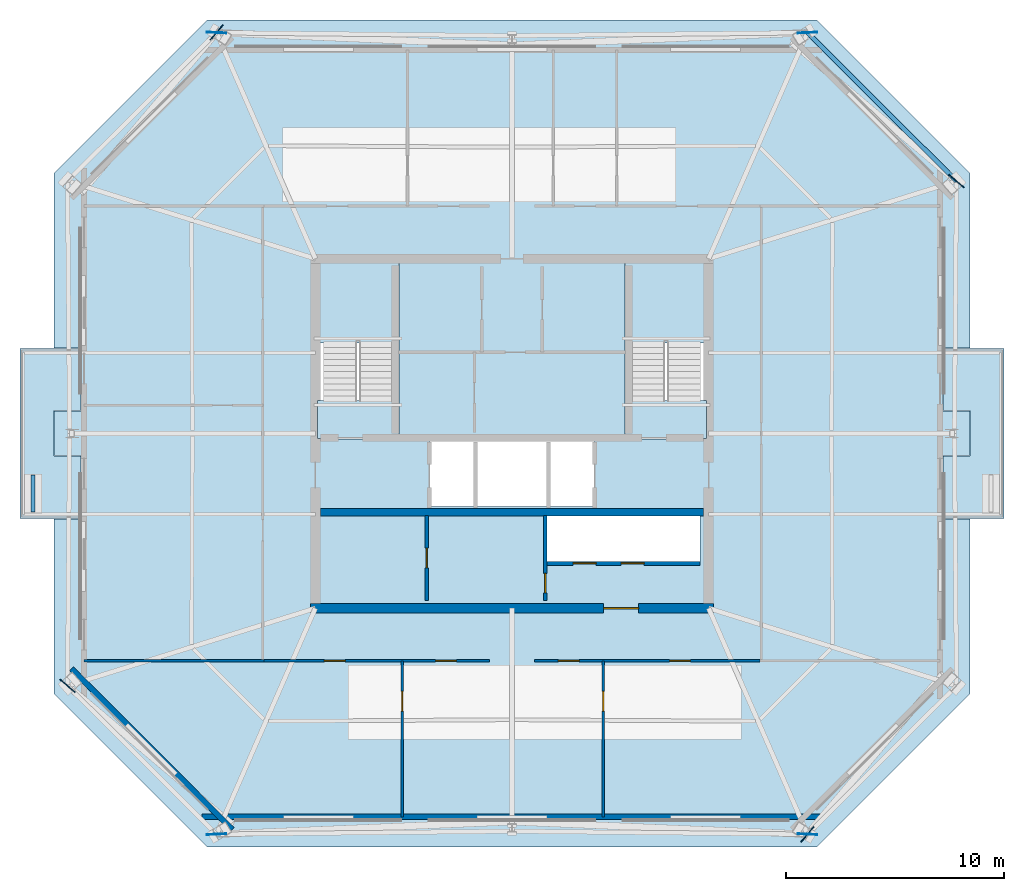
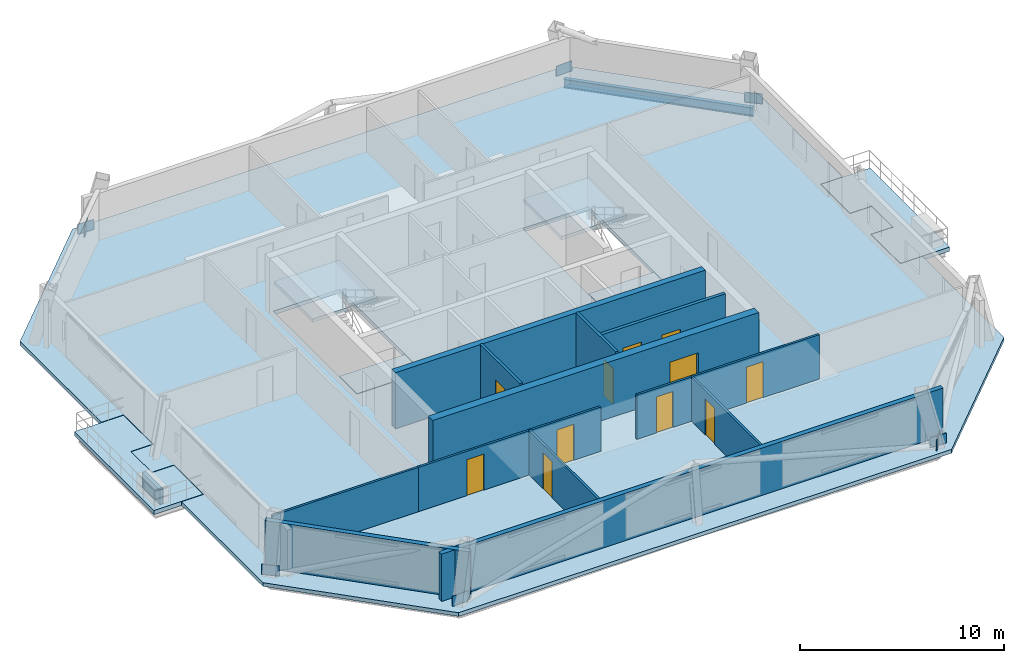
# One storey, part 2 of 7: 13 walls, 11 doors, 8 plates, 7 slabs, 1 beam, 11 openings, 2 elements without a shape of their own.
"""IFC4 building model written with IfcOpenShell, lengths in metres."""

from ifc_helpers import new_model, si_unit, direction, frame, frame_2d, origin, origin_2d, place, context, subcontext, project, spatial, polyline, rectangle, i_section, outline, extrude, material, layer, layer_set, material_profile, profile_set, type_object, element, fill, aggregate, save


model = new_model("IFC4")

# Units and contexts
model_context = context("Model", 3, precision=1e-05, world=origin(), true_north=direction((0.0, 1.0)))
body_context = subcontext(model_context, "Body", "Model", "MODEL_VIEW")
ifc_project = project(units=[si_unit("LENGTHUNIT", "METRE"), si_unit("AREAUNIT", "SQUARE_METRE"), si_unit("VOLUMEUNIT", "CUBIC_METRE"), si_unit("PLANEANGLEUNIT", "RADIAN"), si_unit("MASSUNIT", "GRAM", prefix="KILO")], contexts=[model_context])

# Site, building, storey
site_placement = place(None, origin())
site = spatial("IfcSite", under=ifc_project, at=site_placement, CompositionType="ELEMENT")
building_placement = place(site_placement, origin())
building = spatial("IfcBuilding", under=site, at=building_placement, Name="Caelvoria Tower", CompositionType="ELEMENT")
storey_placement = place(building_placement, frame((0.0, 0.0, 227.39990234375)))
storey = spatial("IfcBuildingStorey", under=building, at=storey_placement, Name="L60", CompositionType="ELEMENT", Elevation=227.39990234375)

# Beam
ifc_material_1 = material(Name="Structural Steel ASTM A992 Gr.50", Category="steel")
ifc_material_profile = material_profile(ifc_material_1, i_section(OverallWidth=0.208984375, OverallDepth=0.532958984375, WebThickness=0.01025390625, FlangeThickness=0.015625, FilletRadius=0.01611328125, at=origin_2d()), Name="Structural Steel ASTM A992 Gr.50")
ifc_profile_set = profile_set([ifc_material_profile], Name="W530X92 - Structural Steel ASTM A992 Gr.50")
beam_type = type_object("IfcBeamType", Name="Upper Zone Spandrel W530X92", PredefinedType="BEAM", material=ifc_profile_set)
beam_placement = place(storey_placement, frame((66.3466796875, 43.5537109375, -0.491455078125), z_axis=(-0.708424352288, 0.705786750432, 0.0), x_axis=(-0.705786750432, -0.708424352288, 0.0)))
element("IfcBeam", 1, at=beam_placement, inside=storey, type_object=beam_type, Name="Perimeter Spandrel Girder L60-05", PredefinedType="BEAM", context=body_context, shape_type="SweptSolid", body=[
    extrude(i_section(OverallWidth=0.208984375, OverallDepth=0.532958984375, WebThickness=0.01025390625, FlangeThickness=0.015625, FilletRadius=0.01611328125, at=origin_2d()), origin(), (0.0, 0.0, 1.0), 9.62646484375),
])

# Plates
ifc_material_2 = material(Name="Structural Steel ASTM A572 Gr.50", Category="steel")
ifc_layer_1 = layer(ifc_material_2, 0.0400390625, Name="Structural Steel ASTM A572 Gr.50")
ifc_layer_set_1 = layer_set([ifc_layer_1], Name="Megaframe Node Gusset Plate 900x600x40 - Structural Steel ASTM A572 Gr.50")
plate_type = type_object("IfcPlateType", Name="Megaframe Node Gusset Plate 900x600x40", PredefinedType="USERDEFINED", material=ifc_layer_set_1)
for number, where, z_axis, x_axis, name in (
    (2, (59.527099609375, 13.652099609375, 0.02001953125), (0.0, 0.0, 1.0), (0.6457349249, 0.763561658783, 0.0), "Chamfer Mega Brace Gusset L60 SE"),
    (3, (66.3466796875, 43.5537109375, 0.02001953125), (0.0, 0.0, 1.0), (-0.764533410577, 0.644584101659, 0.0), "Chamfer Mega Brace Gusset L60 NE"),
    (4, (32.472900390625, 50.347900390625, 0.02001953125), (0.0, 0.0, 1.0), (-0.6457349249, -0.763561658783, 0.0), "Chamfer Mega Brace Gusset L60 NW"),
    (5, (25.6533203125, 20.4462890625, 0.02001953125), (0.0, 0.0, 1.0), (0.764533410577, -0.644584101659, 0.0), "Chamfer Mega Brace Gusset L60 SW"),
    (6, (32.472900390625, 13.652099609375, 0.050048828125), (0.0, 0.0, 1.0), (0.999091865207, 0.042608037699, 0.0), "Megaframe Node Gusset Plate ND-01"),
    (7, (59.527099609375, 13.652099609375, 0.050048828125), (0.0, 0.0, 1.0), (-0.999091865207, 0.042608037699, 0.0), "Megaframe Node Gusset Plate ND-01"),
    (8, (59.527099609375, 50.347900390625, 0.050048828125), (0.0, 0.0, 1.0), (-0.999091865207, -0.042608037699, 0.0), "Megaframe Node Gusset Plate ND-01"),
    (9, (32.472900390625, 50.347900390625, 0.050048828125), (0.0, 0.0, 1.0), (0.999091865207, -0.042608037699, 0.0), "Megaframe Node Gusset Plate ND-01"),
):
    element("IfcPlate", number, at=place(storey_placement, frame(where, z_axis=z_axis, x_axis=x_axis)), inside=storey, type_object=plate_type, Name=name, ObjectType="GUSSET_PLATE", PredefinedType="USERDEFINED", context=body_context, shape_type="SweptSolid", body=[
        extrude(rectangle(XDim=0.89990234375, YDim=0.0400390625, at=origin_2d()), origin(), (0.0, 0.0, 1.0), 0.60009765625),
    ])

# Stair, slabs
ifc_material_3 = material(Name="Concrete C40/50", Category="concrete")
stair_type = type_object("IfcStairType", Name="Core Smokeproof Dogleg Stair Concrete C40/50", PredefinedType="HALF_TURN_STAIR", material=ifc_material_3)
stair_1_placement = place(storey_placement, origin())
stair_1 = element("IfcStair", 10, at=stair_1_placement, inside=storey, type_object=stair_type, Name="ST-01 Smokeproof Exit Stair L60", PredefinedType="HALF_TURN_STAIR")
ifc_layer_2 = layer(ifc_material_3, 0.199951171875, Name="Concrete C40/50")
ifc_layer_set_2 = layer_set([ifc_layer_2], Name="Stair Half and Floor Landing Slab 200 Concrete C40/50 - Concrete C40/50")
slab_type_1 = type_object("IfcSlabType", Name="Stair Half and Floor Landing Slab 200 Concrete C40/50", PredefinedType="LANDING", material=ifc_layer_set_2)
slab_1_placement = place(storey_placement, frame((0.0, 0.0, -0.199951171875)))
slab_1 = element("IfcSlab", 11, at=slab_1_placement, type_object=slab_type_1, Name="ST-01 landing 1", PredefinedType="LANDING", context=body_context, shape_type="SweptSolid", body=[
    extrude(outline(polyline([(37.10009765625, 31.77001953125), (40.800048828125, 31.77001953125), (40.800048828125, 33.5), (37.10009765625, 33.5), (37.10009765625, 31.77001953125)])), origin(), (0.0, 0.0, 1.0), 0.199951171875),
])
slab_2_placement = place(storey_placement, frame((0.0, 0.0, 1.60009765625)))
slab_2 = element("IfcSlab", 12, at=slab_2_placement, type_object=slab_type_1, Name="ST-01 landing 2", PredefinedType="LANDING", context=body_context, shape_type="SweptSolid", body=[
    extrude(outline(polyline([(37.10009765625, 36.14990234375), (40.800048828125, 36.14990234375), (40.800048828125, 39.89990234375), (37.10009765625, 39.89990234375), (37.10009765625, 36.14990234375)])), origin(), (0.0, 0.0, 1.0), 0.199951171875),
])
aggregate(stair_1, [slab_1, slab_2])

stair_2_placement = place(storey_placement, origin())
stair_2 = element("IfcStair", 13, at=stair_2_placement, inside=storey, type_object=stair_type, Name="ST-02 Smokeproof Exit Stair L60", PredefinedType="HALF_TURN_STAIR")
slab_3_placement = place(storey_placement, frame((0.0, 0.0, -0.199951171875)))
slab_3 = element("IfcSlab", 14, at=slab_3_placement, type_object=slab_type_1, Name="ST-02 landing 1", PredefinedType="LANDING", context=body_context, shape_type="SweptSolid", body=[
    extrude(outline(polyline([(51.199951171875, 31.77001953125), (54.89990234375, 31.77001953125), (54.89990234375, 33.5), (51.199951171875, 33.5), (51.199951171875, 31.77001953125)])), origin(), (0.0, 0.0, 1.0), 0.199951171875),
])
slab_4_placement = place(storey_placement, frame((0.0, 0.0, 1.60009765625)))
slab_4 = element("IfcSlab", 15, at=slab_4_placement, type_object=slab_type_1, Name="ST-02 landing 2", PredefinedType="LANDING", context=body_context, shape_type="SweptSolid", body=[
    extrude(outline(polyline([(51.199951171875, 36.14990234375), (54.89990234375, 36.14990234375), (54.89990234375, 39.89990234375), (51.199951171875, 39.89990234375), (51.199951171875, 36.14990234375)])), origin(), (0.0, 0.0, 1.0), 0.199951171875),
])
aggregate(stair_2, [slab_3, slab_4])

# Slabs
ifc_material_4 = material(Name="Concrete C45/55", Category="concrete")
ifc_layer_3 = layer(ifc_material_4, 0.25, Name="Concrete C45/55")
ifc_layer_set_3 = layer_set([ifc_layer_3], Name="Tree Balcony Structural Planter Slab 250 - Concrete C45/55")
slab_type_2 = type_object("IfcSlabType", Name="Tree Balcony Structural Planter Slab 250", PredefinedType="FLOOR", material=ifc_layer_set_3)
slab_5_placement = place(storey_placement, frame((0.0, 0.0, -0.25)))
element("IfcSlab", 16, at=slab_5_placement, inside=storey, type_object=slab_type_2, Name="Tree Balcony Slab TB-L60-W", PredefinedType="FLOOR", context=body_context, shape_type="SweptSolid", body=[
    extrude(outline(polyline([(23.477294921875, 28.10009765625), (25.02734375, 28.10009765625), (26.267333984375, 28.10009765625), (26.267333984375, 30.9599609375), (25.02734375, 30.9599609375), (25.02734375, 33.0400390625), (26.267333984375, 33.0400390625), (26.267333984375, 35.89990234375), (25.02734375, 35.89990234375), (23.477294921875, 35.89990234375), (23.477294921875, 28.10009765625)])), origin(), (0.0, 0.0, 1.0), 0.25),
])
slab_6_placement = place(storey_placement, frame((0.0, 0.0, -0.25)))
element("IfcSlab", 17, at=slab_6_placement, inside=storey, type_object=slab_type_2, Name="Tree Balcony Slab TB-L60-E", PredefinedType="FLOOR", context=body_context, shape_type="SweptSolid", body=[
    extrude(outline(polyline([(66.97265625, 35.89990234375), (65.732666015625, 35.89990234375), (65.732666015625, 33.0400390625), (66.97265625, 33.0400390625), (66.97265625, 30.9599609375), (65.732666015625, 30.9599609375), (65.732666015625, 28.10009765625), (66.97265625, 28.10009765625), (68.522705078125, 28.10009765625), (68.522705078125, 35.89990234375), (66.97265625, 35.89990234375)])), origin(), (0.0, 0.0, 1.0), 0.25),
])
ifc_layer_4 = layer(ifc_material_3, 0.22509765625, Name="Concrete C40/50")
ifc_layer_set_4 = layer_set([ifc_layer_4], Name="Upper Tower Composite Office Slab 225 - Concrete C40/50")
slab_type_3 = type_object("IfcSlabType", Name="Upper Tower Composite Office Slab 225", PredefinedType="FLOOR", material=ifc_layer_set_4)
slab_7_placement = place(storey_placement, frame((0.0, 0.0, -0.224853515625)))
element("IfcSlab", 18, at=slab_7_placement, inside=storey, type_object=slab_type_3, Name="Level L60 Structural Floor Slab", PredefinedType="FLOOR", context=body_context, shape_type="SweptSolid", body=[
    extrude(outline(polyline([(59.95458984375, 50.92724609375), (32.04541015625, 50.92724609375), (25.02734375, 43.9091796875), (25.02734375, 35.919921875), (26.287353515625, 35.919921875), (26.287353515625, 33.02001953125), (25.02734375, 33.02001953125), (25.02734375, 30.97998046875), (26.287353515625, 30.97998046875), (26.287353515625, 28.080078125), (25.02734375, 28.080078125), (25.02734375, 20.0908203125), (32.04541015625, 13.07275390625), (59.95458984375, 13.07275390625), (66.97265625, 20.0908203125), (66.97265625, 28.080078125), (65.712646484375, 28.080078125), (65.712646484375, 30.97998046875), (66.97265625, 30.97998046875), (66.97265625, 33.02001953125), (65.712646484375, 33.02001953125), (65.712646484375, 35.919921875), (66.97265625, 35.919921875), (66.97265625, 43.9091796875), (59.95458984375, 50.92724609375)]), holes=[polyline([(37.080078125, 31.75), (40.820068359375, 31.75), (40.820068359375, 39.919921875), (37.080078125, 39.919921875), (37.080078125, 31.75)]), polyline([(51.179931640625, 31.75), (54.919921875, 31.75), (54.919921875, 39.919921875), (51.179931640625, 39.919921875), (51.179931640625, 31.75)]), polyline([(42.25, 28.64990234375), (49.75, 28.64990234375), (49.75, 31.800048828125), (42.25, 31.800048828125), (42.25, 28.64990234375)]), polyline([(47.60009765625, 26.14990234375), (54.60009765625, 26.14990234375), (54.60009765625, 28.25), (47.60009765625, 28.25), (47.60009765625, 26.14990234375)])]), origin(), (0.0, 0.0, 1.0), 0.224853515625),
])

# Walls
ifc_material_5 = material(Name="Bronze-Clad Concrete C40/50", Category="concrete")
ifc_layer_5 = layer(ifc_material_5, 0.179931640625, Name="Bronze-Clad Concrete C40/50")
ifc_layer_set_5 = layer_set([ifc_layer_5], Name="Architectural Planter Kerb Wall 180 - Bronze-Clad Concrete C40/50")
wall_type_1 = type_object("IfcWallType", Name="Architectural Planter Kerb Wall 180", PredefinedType="PARAPET", material=ifc_layer_set_5)
wall_1_placement = place(storey_placement, frame((24.077392578125, 28.39990234375, 0.0), z_axis=(0.0, 0.0, 1.0), x_axis=(0.0, 1.0, 0.0)))
element("IfcWall", 19, at=wall_1_placement, inside=storey, type_object=wall_type_1, Name="Tree Balcony Planter Kerb PLANTER TB-L60-W", PredefinedType="PARAPET", context=body_context, shape_type="SweptSolid", body=[
    extrude(rectangle(XDim=1.7001953125, YDim=0.179931640625, at=frame_2d((0.85009765625, 0.0))), origin(), (0.0, 0.0, 1.0), 0.880126953125),
])
ifc_material_6 = material(Name="Concrete C50/60", Category="concrete")
ifc_layer_6 = layer(ifc_material_6, 0.35009765625, Name="Concrete C50/60")
ifc_layer_set_6 = layer_set([ifc_layer_6], Name="Core Internal Shear Wall 350 - Concrete C50/60")
wall_type_2 = type_object("IfcWallType", Name="Core Internal Shear Wall 350", PredefinedType="SHEAR", material=ifc_layer_set_6)
wall_2_placement = place(storey_placement, frame((37.22509765625, 28.39990234375, 0.0), z_axis=(0.0, 0.0, 1.0), x_axis=(1.0, 0.0, 0.0)))
element("IfcWall", 20, at=wall_2_placement, inside=storey, type_object=wall_type_2, Name="Core Shear Wall L60 M2", PredefinedType="SHEAR", context=body_context, shape_type="SweptSolid", body=[
    extrude(rectangle(XDim=17.5498046875, YDim=0.35009765625, at=frame_2d((8.77490234375, 0.0))), origin(), (0.0, 0.0, 1.0), 3.360107421875),
])

# Wall, opening, door
ifc_material_7 = material(Name="Double Gypsum Board on Steel Stud", Category="steel")
ifc_layer_7 = layer(ifc_material_7, 0.14990234375, Name="Double Gypsum Board on Steel Stud")
ifc_layer_set_7 = layer_set([ifc_layer_7], Name="Core Service Acoustic Partition Wall 150 - Double Gypsum Board on Steel Stud")
wall_type_3 = type_object("IfcWallType", Name="Core Service Acoustic Partition Wall 150", PredefinedType="PARTITIONING", material=ifc_layer_set_7)
wall_3_placement = place(storey_placement, frame((42.10009765625, 24.35009765625, 0.0), z_axis=(0.0, 0.0, 1.0), x_axis=(0.0, 1.0, 0.0)))
wall_3 = element("IfcWall", 21, at=wall_3_placement, inside=storey, type_object=wall_type_3, Name="Interior Partition IW-L60-RECL-MID", PredefinedType="PARTITIONING", context=body_context, shape_type="SweptSolid", body=[
    extrude(rectangle(XDim=3.89990234375, YDim=0.14990234375, at=frame_2d((1.949951171875, 0.0))), origin(), (0.0, 0.0, 1.0), 3.375),
])
opening_1_placement = place(wall_3_placement, frame((1.5, 0.0, 0.0)))
opening_1 = element("IfcOpeningElement", 22, at=opening_1_placement, cuts=wall_3, Name="Opening ID-06", PredefinedType="OPENING", context=body_context, shape_type="SweptSolid", body=[
    extrude(rectangle(XDim=0.89990234375, YDim=2.14990234375, at=frame_2d((0.449951171875, 1.074951171875))), frame((0.0, 0.0849609375, 0.0), z_axis=(0.0, -1.0, 0.0), x_axis=(1.0, 0.0, 0.0)), (0.0, 0.0, 1.0), 0.169921875),
])
ifc_material_8 = material(Name="Engineered Andean Oak Veneer Door", Category="wood")
door_type_1 = type_object("IfcDoorType", Name="Interior Timber Door 900x2150", OperationType="NOTDEFINED", PredefinedType="DOOR", material=ifc_material_8)
door_1_placement = place(opening_1_placement, origin())
door_1 = element("IfcDoor", 23, at=door_1_placement, inside=storey, type_object=door_type_1, Name="Interior Door DR-L60-RECL12", OperationType="SINGLE_SWING_LEFT", OverallHeight=2.14990234375, OverallWidth=0.89990234375, PredefinedType="DOOR", context=body_context, shape_type="SweptSolid", body=[
    extrude(rectangle(XDim=0.89990234375, YDim=2.14990234375, at=frame_2d((0.449951171875, 1.074951171875))), frame((0.0, 0.02490234375, 0.0), z_axis=(0.0, -1.0, 0.0), x_axis=(1.0, 0.0, 0.0)), (0.0, 0.0, 1.0), 0.050048828125),
])
fill(opening_1, door_1)

wall_4_placement = place(storey_placement, frame((47.52001953125, 24.35009765625, 0.0), z_axis=(0.0, 0.0, 1.0), x_axis=(0.0, 1.0, 0.0)))
wall_4 = element("IfcWall", 24, at=wall_4_placement, inside=storey, type_object=wall_type_3, Name="Interior Partition IW-L60-RECL2E", PredefinedType="PARTITIONING", context=body_context, shape_type="SweptSolid", body=[
    extrude(rectangle(XDim=3.89990234375, YDim=0.14990234375, at=frame_2d((1.949951171875, 0.0))), origin(), (0.0, 0.0, 1.0), 3.375),
])
opening_2_placement = place(wall_4_placement, frame((0.35009765625, 0.0, 0.0)))
opening_2 = element("IfcOpeningElement", 25, at=opening_2_placement, cuts=wall_4, Name="Opening ID-04", PredefinedType="OPENING", context=body_context, shape_type="SweptSolid", body=[
    extrude(rectangle(XDim=0.89990234375, YDim=2.14990234375, at=frame_2d((0.449951171875, 1.074951171875))), frame((0.0, 0.0849609375, 0.0), z_axis=(0.0, -1.0, 0.0), x_axis=(1.0, 0.0, 0.0)), (0.0, 0.0, 1.0), 0.169921875),
])
ifc_material_9 = material(Name="Acoustic Timber Fire Door", Category="wood")
door_type_2 = type_object("IfcDoorType", Name="Fire Door FD30S 900x2150", OperationType="NOTDEFINED", PredefinedType="DOOR", material=ifc_material_9)
door_2_placement = place(opening_2_placement, origin())
door_2 = element("IfcDoor", 26, at=door_2_placement, inside=storey, type_object=door_type_2, Name="Interior Door DR-L60-RECL2", OperationType="SINGLE_SWING_RIGHT", OverallHeight=2.14990234375, OverallWidth=0.89990234375, PredefinedType="DOOR", context=body_context, shape_type="SweptSolid", body=[
    extrude(rectangle(XDim=0.89990234375, YDim=2.14990234375, at=frame_2d((0.449951171875, 1.074951171875))), frame((0.0, 0.02490234375, 0.0), z_axis=(0.0, -1.0, 0.0), x_axis=(1.0, 0.0, 0.0)), (0.0, 0.0, 1.0), 0.050048828125),
])
fill(opening_2, door_2)

# Wall, openings, doors
ifc_material_10 = material(Name="Concrete Block and Fireboard Assembly", Category="concrete")
ifc_layer_8 = layer(ifc_material_10, 0.179931640625, Name="Concrete Block and Fireboard Assembly")
ifc_layer_set_8 = layer_set([ifc_layer_8], Name="Fire-Rated Hoistway Partition Wall 180 - Concrete Block and Fireboard Assembly")
wall_type_4 = type_object("IfcWallType", Name="Fire-Rated Hoistway Partition Wall 180", PredefinedType="PARTITIONING", material=ifc_layer_set_8)
wall_5_placement = place(storey_placement, frame((47.60009765625, 26.050048828125, 0.0), z_axis=(0.0, 0.0, 1.0), x_axis=(1.0, 0.0, 0.0)))
wall_5 = element("IfcWall", 27, at=wall_5_placement, inside=storey, type_object=wall_type_4, Name="Interior Partition IW-L60-LFRONT", PredefinedType="PARTITIONING", context=body_context, shape_type="SweptSolid", body=[
    extrude(rectangle(XDim=7.0, YDim=0.179931640625, at=frame_2d((3.5, 0.0))), origin(), (0.0, 0.0, 1.0), 3.375),
])
opening_3_placement = place(wall_5_placement, frame((1.199951171875, 0.0, 0.0)))
opening_3 = element("IfcOpeningElement", 28, at=opening_3_placement, cuts=wall_5, Name="Opening LD-01", PredefinedType="OPENING", context=body_context, shape_type="SweptSolid", body=[
    extrude(rectangle(XDim=1.050048828125, YDim=2.14990234375, at=frame_2d((0.52490234375, 1.074951171875))), frame((0.0, 0.099853515625, 0.0), z_axis=(0.0, -1.0, 0.0), x_axis=(1.0, 0.0, 0.0)), (0.0, 0.0, 1.0), 0.199951171875),
])
opening_4_placement = place(wall_5_placement, frame((3.39990234375, 0.0, 0.0)))
opening_4 = element("IfcOpeningElement", 29, at=opening_4_placement, cuts=wall_5, Name="Opening LD-01", PredefinedType="OPENING", context=body_context, shape_type="SweptSolid", body=[
    extrude(rectangle(XDim=1.050048828125, YDim=2.14990234375, at=frame_2d((0.52490234375, 1.074951171875))), frame((0.0, 0.099853515625, 0.0), z_axis=(0.0, -1.0, 0.0), x_axis=(1.0, 0.0, 0.0)), (0.0, 0.0, 1.0), 0.199951171875),
])
ifc_material_11 = material(Name="Brushed Bronze Stainless Sliding Landing Door", Category="aluminium")
door_type_3 = type_object("IfcDoorType", Name="Lift Landing Sliding Door 1100x2150", OperationType="NOTDEFINED", PredefinedType="DOOR", material=ifc_material_11)
door_3_placement = place(opening_3_placement, origin())
door_3 = element("IfcDoor", 30, at=door_3_placement, inside=storey, type_object=door_type_3, Name="Interior Door LD-L60-PH1", OperationType="SLIDING_TO_LEFT", OverallHeight=2.14990234375, OverallWidth=1.050048828125, PredefinedType="DOOR", context=body_context, shape_type="SweptSolid", body=[
    extrude(rectangle(XDim=1.050048828125, YDim=2.14990234375, at=frame_2d((0.52490234375, 1.074951171875))), frame((0.0, 0.02490234375, 0.0), z_axis=(0.0, -1.0, 0.0), x_axis=(1.0, 0.0, 0.0)), (0.0, 0.0, 1.0), 0.050048828125),
])
fill(opening_3, door_3)
door_4_placement = place(opening_4_placement, origin())
door_4 = element("IfcDoor", 31, at=door_4_placement, inside=storey, type_object=door_type_3, Name="Interior Door LD-L60-PH2", OperationType="SLIDING_TO_RIGHT", OverallHeight=2.14990234375, OverallWidth=1.050048828125, PredefinedType="DOOR", context=body_context, shape_type="SweptSolid", body=[
    extrude(rectangle(XDim=1.050048828125, YDim=2.14990234375, at=frame_2d((0.52490234375, 1.074951171875))), frame((0.0, 0.02490234375, 0.0), z_axis=(0.0, -1.0, 0.0), x_axis=(1.0, 0.0, 0.0)), (0.0, 0.0, 1.0), 0.050048828125),
])
fill(opening_4, door_4)

# Wall, opening, door
ifc_material_12 = material(Name="Acoustic Gypsum Board on Light-Gauge Stud", Category="gypsum")
ifc_layer_9 = layer(ifc_material_12, 0.1201171875, Name="Acoustic Gypsum Board on Light-Gauge Stud")
ifc_layer_set_9 = layer_set([ifc_layer_9], Name="Tenant Suite Acoustic Partition Wall 120 - Acoustic Gypsum Board on Light-Gauge Stud")
wall_type_5 = type_object("IfcWallType", Name="Tenant Suite Acoustic Partition Wall 120", PredefinedType="PARTITIONING", material=ifc_layer_set_9)
wall_6_placement = place(storey_placement, frame((40.98388671875, 21.590087890625, 0.0), z_axis=(0.0, 0.0, 1.0), x_axis=(0.0, -1.0, 0.0)))
wall_6 = element("IfcWall", 32, at=wall_6_placement, inside=storey, type_object=wall_type_5, Name="Interior Partition IW-L60-SD-00-0", PredefinedType="PARTITIONING", context=body_context, shape_type="SweptSolid", body=[
    extrude(rectangle(XDim=7.137451171875, YDim=0.1201171875, at=frame_2d((3.56884765625, 0.0))), origin(), (0.0, 0.0, 1.0), 2.655029296875),
])
opening_5_placement = place(wall_6_placement, frame((1.39990234375, 0.0, 0.0)))
opening_5 = element("IfcOpeningElement", 33, at=opening_5_placement, cuts=wall_6, Name="Opening ID-06", PredefinedType="OPENING", context=body_context, shape_type="SweptSolid", body=[
    extrude(rectangle(XDim=0.89990234375, YDim=2.14990234375, at=frame_2d((0.449951171875, 1.074951171875))), frame((0.0, 0.070068359375, 0.0), z_axis=(0.0, -1.0, 0.0), x_axis=(1.0, 0.0, 0.0)), (0.0, 0.0, 1.0), 0.14013671875),
])
door_5_placement = place(opening_5_placement, origin())
door_5 = element("IfcDoor", 34, at=door_5_placement, inside=storey, type_object=door_type_1, Name="Interior Door DR-L60-SM-00-0", OperationType="SINGLE_SWING_RIGHT", OverallHeight=2.14990234375, OverallWidth=0.89990234375, PredefinedType="DOOR", context=body_context, shape_type="SweptSolid", body=[
    extrude(rectangle(XDim=0.89990234375, YDim=2.14990234375, at=frame_2d((0.449951171875, 1.074951171875))), frame((0.0, 0.02490234375, 0.0), z_axis=(0.0, -1.0, 0.0), x_axis=(1.0, 0.0, 0.0)), (0.0, 0.0, 1.0), 0.050048828125),
])
fill(opening_5, door_5)

wall_7_placement = place(storey_placement, frame((50.177490234375, 21.590087890625, 0.0), z_axis=(0.0, 0.0, 1.0), x_axis=(0.0, -1.0, 0.0)))
wall_7 = element("IfcWall", 35, at=wall_7_placement, inside=storey, type_object=wall_type_5, Name="Interior Partition IW-L60-SD-01-0", PredefinedType="PARTITIONING", context=body_context, shape_type="SweptSolid", body=[
    extrude(rectangle(XDim=7.137451171875, YDim=0.1201171875, at=frame_2d((3.56884765625, 0.0))), origin(), (0.0, 0.0, 1.0), 2.655029296875),
])
opening_6_placement = place(wall_7_placement, frame((1.39990234375, 0.0, 0.0)))
opening_6 = element("IfcOpeningElement", 36, at=opening_6_placement, cuts=wall_7, Name="Opening ID-06", PredefinedType="OPENING", context=body_context, shape_type="SweptSolid", body=[
    extrude(rectangle(XDim=0.89990234375, YDim=2.14990234375, at=frame_2d((0.449951171875, 1.074951171875))), frame((0.0, 0.070068359375, 0.0), z_axis=(0.0, -1.0, 0.0), x_axis=(1.0, 0.0, 0.0)), (0.0, 0.0, 1.0), 0.14013671875),
])
door_6_placement = place(opening_6_placement, origin())
door_6 = element("IfcDoor", 37, at=door_6_placement, inside=storey, type_object=door_type_1, Name="Interior Door DR-L60-SM-01-0", OperationType="SINGLE_SWING_LEFT", OverallHeight=2.14990234375, OverallWidth=0.89990234375, PredefinedType="DOOR", context=body_context, shape_type="SweptSolid", body=[
    extrude(rectangle(XDim=0.89990234375, YDim=2.14990234375, at=frame_2d((0.449951171875, 1.074951171875))), frame((0.0, 0.02490234375, 0.0), z_axis=(0.0, -1.0, 0.0), x_axis=(1.0, 0.0, 0.0)), (0.0, 0.0, 1.0), 0.050048828125),
])
fill(opening_6, door_6)

# Wall, openings, doors
wall_8_placement = place(storey_placement, frame((34.64990234375, 21.590087890625, 0.0), z_axis=(0.0, 0.0, 1.0), x_axis=(1.0, 0.0, 0.0)))
wall_8 = element("IfcWall", 38, at=wall_8_placement, inside=storey, type_object=wall_type_5, Name="Interior Partition IW-L60-SCW-0", PredefinedType="PARTITIONING", context=body_context, shape_type="SweptSolid", body=[
    extrude(rectangle(XDim=10.330078125, YDim=0.1201171875, at=frame_2d((5.1650390625, 0.0))), origin(), (0.0, 0.0, 1.0), 2.655029296875),
])
opening_7_placement = place(wall_8_placement, frame((2.761962890625, 0.0, 0.0)))
opening_7 = element("IfcOpeningElement", 39, at=opening_7_placement, cuts=wall_8, Name="Opening ID-05", PredefinedType="OPENING", context=body_context, shape_type="SweptSolid", body=[
    extrude(rectangle(XDim=0.949951171875, YDim=2.14990234375, at=frame_2d((0.47509765625, 1.074951171875))), frame((0.0, 0.070068359375, 0.0), z_axis=(0.0, -1.0, 0.0), x_axis=(1.0, 0.0, 0.0)), (0.0, 0.0, 1.0), 0.14013671875),
])
opening_8_placement = place(wall_8_placement, frame((7.85693359375, 0.0, 0.0)))
opening_8 = element("IfcOpeningElement", 40, at=opening_8_placement, cuts=wall_8, Name="Opening ID-05", PredefinedType="OPENING", context=body_context, shape_type="SweptSolid", body=[
    extrude(rectangle(XDim=0.949951171875, YDim=2.14990234375, at=frame_2d((0.47509765625, 1.074951171875))), frame((0.0, 0.070068359375, 0.0), z_axis=(0.0, -1.0, 0.0), x_axis=(1.0, 0.0, 0.0)), (0.0, 0.0, 1.0), 0.14013671875),
])
door_type_4 = type_object("IfcDoorType", Name="Interior Timber Door 950x2150", OperationType="NOTDEFINED", PredefinedType="DOOR", material=ifc_material_8)
door_7_placement = place(opening_7_placement, origin())
door_7 = element("IfcDoor", 41, at=door_7_placement, inside=storey, type_object=door_type_4, Name="Interior Door DR-L60-SC-00-0", OperationType="SINGLE_SWING_LEFT", OverallHeight=2.14990234375, OverallWidth=0.949951171875, PredefinedType="DOOR", context=body_context, shape_type="SweptSolid", body=[
    extrude(rectangle(XDim=0.949951171875, YDim=2.14990234375, at=frame_2d((0.47509765625, 1.074951171875))), frame((0.0, 0.02490234375, 0.0), z_axis=(0.0, -1.0, 0.0), x_axis=(1.0, 0.0, 0.0)), (0.0, 0.0, 1.0), 0.050048828125),
])
fill(opening_7, door_7)
door_8_placement = place(opening_8_placement, origin())
door_8 = element("IfcDoor", 42, at=door_8_placement, inside=storey, type_object=door_type_4, Name="Interior Door DR-L60-SC-01-0", OperationType="SINGLE_SWING_RIGHT", OverallHeight=2.14990234375, OverallWidth=0.949951171875, PredefinedType="DOOR", context=body_context, shape_type="SweptSolid", body=[
    extrude(rectangle(XDim=0.949951171875, YDim=2.14990234375, at=frame_2d((0.47509765625, 1.074951171875))), frame((0.0, 0.02490234375, 0.0), z_axis=(0.0, -1.0, 0.0), x_axis=(1.0, 0.0, 0.0)), (0.0, 0.0, 1.0), 0.050048828125),
])
fill(opening_8, door_8)

wall_9_placement = place(storey_placement, frame((47.02001953125, 21.590087890625, 0.0), z_axis=(0.0, 0.0, 1.0), x_axis=(1.0, 0.0, 0.0)))
wall_9 = element("IfcWall", 43, at=wall_9_placement, inside=storey, type_object=wall_type_5, Name="Interior Partition IW-L60-SCW-1", PredefinedType="PARTITIONING", context=body_context, shape_type="SweptSolid", body=[
    extrude(rectangle(XDim=10.330078125, YDim=0.1201171875, at=frame_2d((5.1650390625, 0.0))), origin(), (0.0, 0.0, 1.0), 2.655029296875),
])
opening_9_placement = place(wall_9_placement, frame((1.103759765625, 0.0, 0.0)))
opening_9 = element("IfcOpeningElement", 44, at=opening_9_placement, cuts=wall_9, Name="Opening ID-05", PredefinedType="OPENING", context=body_context, shape_type="SweptSolid", body=[
    extrude(rectangle(XDim=0.949951171875, YDim=2.14990234375, at=frame_2d((0.47509765625, 1.074951171875))), frame((0.0, 0.070068359375, 0.0), z_axis=(0.0, -1.0, 0.0), x_axis=(1.0, 0.0, 0.0)), (0.0, 0.0, 1.0), 0.14013671875),
])
opening_10_placement = place(wall_9_placement, frame((6.19873046875, 0.0, 0.0)))
opening_10 = element("IfcOpeningElement", 45, at=opening_10_placement, cuts=wall_9, Name="Opening ID-05", PredefinedType="OPENING", context=body_context, shape_type="SweptSolid", body=[
    extrude(rectangle(XDim=0.949951171875, YDim=2.14990234375, at=frame_2d((0.47509765625, 1.074951171875))), frame((0.0, 0.070068359375, 0.0), z_axis=(0.0, -1.0, 0.0), x_axis=(1.0, 0.0, 0.0)), (0.0, 0.0, 1.0), 0.14013671875),
])
door_9_placement = place(opening_9_placement, origin())
door_9 = element("IfcDoor", 46, at=door_9_placement, inside=storey, type_object=door_type_4, Name="Interior Door DR-L60-SC-01-1", OperationType="SINGLE_SWING_LEFT", OverallHeight=2.14990234375, OverallWidth=0.949951171875, PredefinedType="DOOR", context=body_context, shape_type="SweptSolid", body=[
    extrude(rectangle(XDim=0.949951171875, YDim=2.14990234375, at=frame_2d((0.47509765625, 1.074951171875))), frame((0.0, 0.02490234375, 0.0), z_axis=(0.0, -1.0, 0.0), x_axis=(1.0, 0.0, 0.0)), (0.0, 0.0, 1.0), 0.050048828125),
])
fill(opening_9, door_9)
door_10_placement = place(opening_10_placement, origin())
door_10 = element("IfcDoor", 47, at=door_10_placement, inside=storey, type_object=door_type_4, Name="Interior Door DR-L60-SC-02-0", OperationType="SINGLE_SWING_LEFT", OverallHeight=2.14990234375, OverallWidth=0.949951171875, PredefinedType="DOOR", context=body_context, shape_type="SweptSolid", body=[
    extrude(rectangle(XDim=0.949951171875, YDim=2.14990234375, at=frame_2d((0.47509765625, 1.074951171875))), frame((0.0, 0.02490234375, 0.0), z_axis=(0.0, -1.0, 0.0), x_axis=(1.0, 0.0, 0.0)), (0.0, 0.0, 1.0), 0.050048828125),
])
fill(opening_10, door_10)

# Wall
wall_10_placement = place(storey_placement, frame((34.64990234375, 21.590087890625, 0.0), z_axis=(0.0, 0.0, 1.0), x_axis=(-1.0, 0.0, 0.0)))
element("IfcWall", 48, at=wall_10_placement, inside=storey, type_object=wall_type_5, Name="Interior Partition IW-L60-BSW-0", PredefinedType="PARTITIONING", context=body_context, shape_type="SweptSolid", body=[
    extrude(rectangle(XDim=8.24267578125, YDim=0.1201171875, at=frame_2d((4.121337890625, 0.0))), origin(), (0.0, 0.0, 1.0), 2.655029296875),
])

# Wall, opening, door
ifc_layer_10 = layer(ifc_material_6, 0.449951171875, Name="Concrete C50/60")
ifc_layer_set_10 = layer_set([ifc_layer_10], Name="Upper Core Shear Wall 450 - Concrete C50/60")
wall_type_6 = type_object("IfcWallType", Name="Upper Core Shear Wall 450", PredefinedType="SHEAR", material=ifc_layer_set_10)
wall_11_placement = place(storey_placement, frame((36.77490234375, 24.0, 0.0), z_axis=(0.0, 0.0, 1.0), x_axis=(1.0, 0.0, 0.0)))
wall_11 = element("IfcWall", 49, at=wall_11_placement, inside=storey, type_object=wall_type_6, Name="Core Shear Wall L60 S", PredefinedType="SHEAR", context=body_context, shape_type="SweptSolid", body=[
    extrude(rectangle(XDim=18.4501953125, YDim=0.449951171875, at=frame_2d((9.22509765625, 0.0))), origin(), (0.0, 0.0, 1.0), 3.360107421875),
])
opening_11_placement = place(wall_11_placement, frame((13.425048828125, 0.0, 0.0)))
opening_11 = element("IfcOpeningElement", 50, at=opening_11_placement, cuts=wall_11, Name="Opening ID-08", PredefinedType="OPENING", context=body_context, shape_type="SweptSolid", body=[
    extrude(rectangle(XDim=1.60009765625, YDim=2.14990234375, at=frame_2d((0.800048828125, 1.074951171875))), frame((0.0, 0.23486328125, 0.0), z_axis=(0.0, -1.0, 0.0), x_axis=(1.0, 0.0, 0.0)), (0.0, 0.0, 1.0), 0.469970703125),
])
ifc_material_13 = material(Name="Bronze-Framed Fire-Rated Glazed Double Door", Category="aluminium")
door_type_5 = type_object("IfcDoorType", Name="Double Lobby Glazed Door 1600x2200", OperationType="NOTDEFINED", PredefinedType="DOOR", material=ifc_material_13)
door_11_placement = place(opening_11_placement, origin())
door_11 = element("IfcDoor", 51, at=door_11_placement, inside=storey, type_object=door_type_5, Name="Core Door DR-L60-LLOB-S2", OperationType="DOUBLE_DOOR_SINGLE_SWING", OverallHeight=2.14990234375, OverallWidth=1.60009765625, PredefinedType="DOOR", context=body_context, shape_type="SweptSolid", body=[
    extrude(rectangle(XDim=1.60009765625, YDim=2.14990234375, at=frame_2d((0.800048828125, 1.074951171875))), frame((0.0, 0.02490234375, 0.0), z_axis=(0.0, -1.0, 0.0), x_axis=(1.0, 0.0, 0.0)), (0.0, 0.0, 1.0), 0.050048828125),
])
fill(opening_11, door_11)

# Walls
ifc_material_14 = material(Name="Precast Concrete C40/50 with Bronze Cladding", Category="concrete")
ifc_layer_11 = layer(ifc_material_14, 0.264892578125, Name="Precast Concrete C40/50 with Bronze Cladding")
ifc_layer_set_11 = layer_set([ifc_layer_11], Name="Upper Taper Precast Concrete C40/50 Bronze Facade Wall 265 - Precast Concrete C40/50 with Bronze Cladding")
wall_type_7 = type_object("IfcWallType", Name="Upper Taper Precast Concrete C40/50 Bronze Facade Wall 265", PredefinedType="STANDARD", material=ifc_layer_set_11)
wall_12_placement = place(storey_placement, frame((31.805419921875, 14.45263671875, 0.0), z_axis=(0.0, 0.0, 1.0), x_axis=(1.0, 0.0, 0.0)))
element("IfcWall", 52, at=wall_12_placement, inside=storey, type_object=wall_type_7, Name="Exterior Facade Wall L60-E0", PredefinedType="STANDARD", context=body_context, shape_type="SweptSolid", body=[
    extrude(rectangle(XDim=28.38916015625, YDim=0.264892578125, at=frame_2d((14.194580078125, 0.0))), origin(), (0.0, 0.0, 1.0), 2.83203125),
])
wall_13_placement = place(storey_placement, frame((25.83349609375, 21.236328125, 0.0), z_axis=(0.0, 0.0, 1.0), x_axis=(0.707106781187, -0.707106781187, 0.0)))
element("IfcWall", 53, at=wall_13_placement, inside=storey, type_object=wall_type_7, Name="Exterior Facade Wall L60-E7", PredefinedType="STANDARD", context=body_context, shape_type="SweptSolid", body=[
    extrude(rectangle(XDim=10.405029296875, YDim=0.264892578125, at=frame_2d((5.20263671875, 0.0))), origin(), (0.0, 0.0, 1.0), 2.83203125),
])

save(model, "model.ifc")
